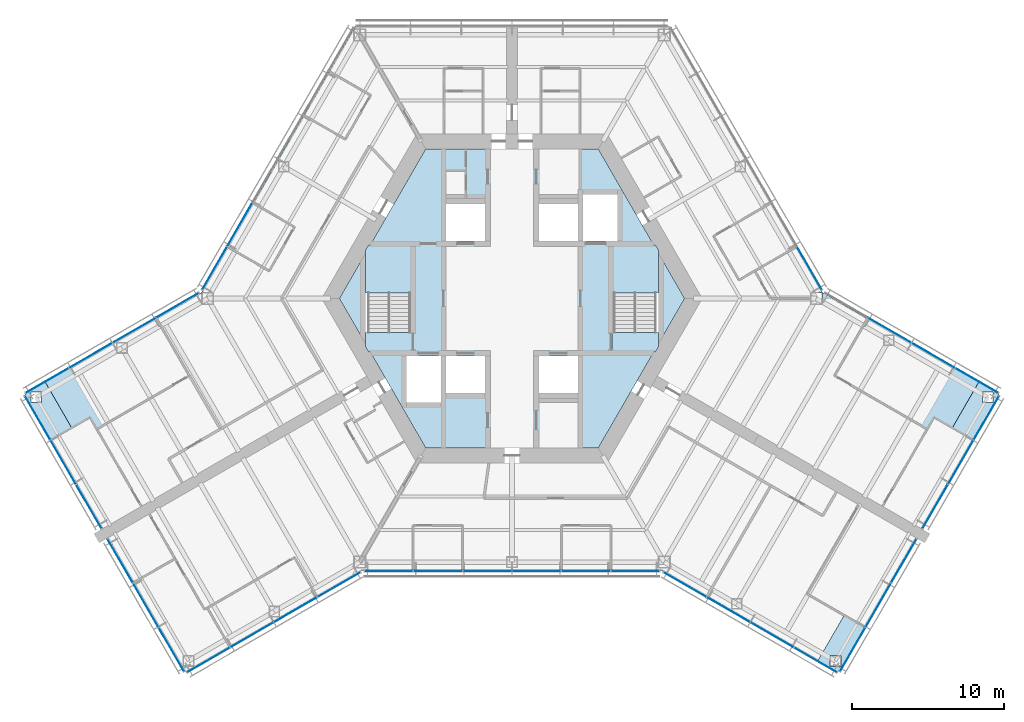
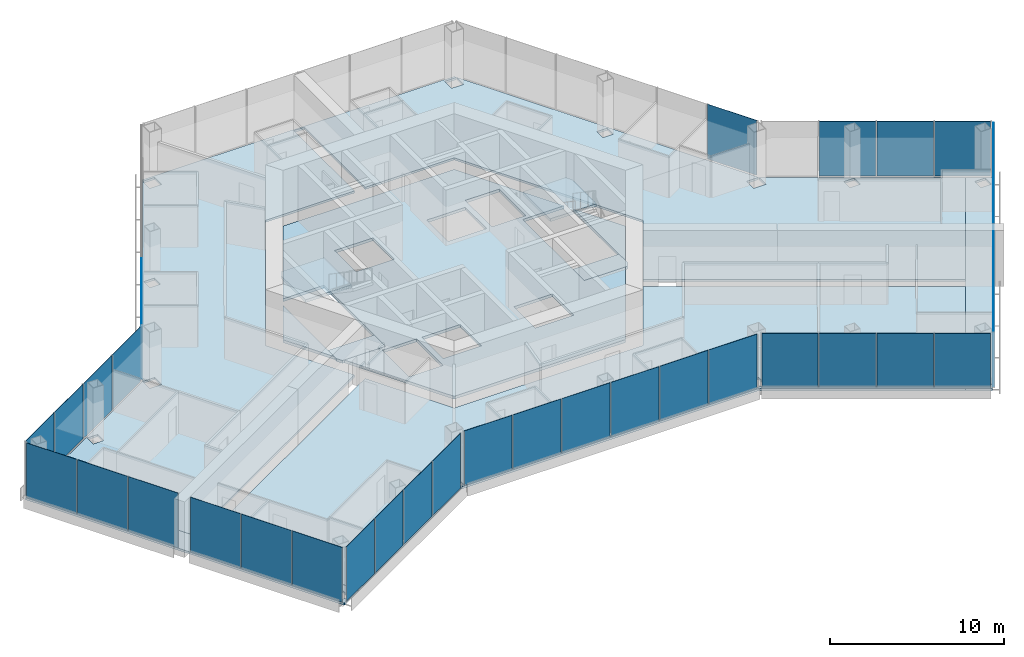
# One storey, part 10 of 18: 36 plates, 11 slabs, 13 elements without a shape of their own.
"""IFC4 building model written with IfcOpenShell, lengths in metres."""

import ifcopenshell
import ifcopenshell.guid

model = None  # the IFC model being written
_history = None  # IfcOwnerHistory: only IFC2X3 demands one
_inside = {}  # id of a spatial element -> (the spatial element, [elements in it])
_under = {}  # id of a project, library or spatial element -> (it, [spatial elements below it])
_declared = {}  # id of a project -> (the project, [libraries it declares])
_typed = {}  # id of a type object -> (the type object, [elements of that type])
_made_of = {}  # id of a material, layer set ... -> (it, [elements and type objects made of it])


def new_model(schema):
    """Start an empty IFC model of exactly this schema.

    Asked for "IFC4X3", IfcOpenShell would pick the latest addendum, in which some entities
    have other attributes; the version numbers below select the first issue.
    IFC2X3 requires an IfcOwnerHistory on every rooted entity: one is made here for all.
    """
    global model, _history
    if schema == "IFC4X3":
        model = ifcopenshell.file(schema_version=(4, 3, 0, 0))
    else:
        model = ifcopenshell.file(schema=schema)
    _inside.clear()
    _under.clear()
    _declared.clear()
    _typed.clear()
    _made_of.clear()
    _history = None
    if model.schema == "IFC2X3":
        org = make("IfcOrganization", Name="unknown")
        user = make(
            "IfcPersonAndOrganization",
            ThePerson=make("IfcPerson", FamilyName="unknown"),
            TheOrganization=org,
        )
        app = make(
            "IfcApplication",
            ApplicationDeveloper=org,
            Version="unknown",
            ApplicationFullName="unknown",
            ApplicationIdentifier="unknown",
        )
        _history = make(
            "IfcOwnerHistory",
            OwningUser=user,
            OwningApplication=app,
            ChangeAction="ADDED",
            CreationDate=0,
        )
    return model


def make(cls, **values):
    """One entity of the class cls with the attributes given. An attribute that is None is left unset."""
    return model.create_entity(
        cls, **{name: value for name, value in values.items() if value is not None}
    )


def rooted(cls, **values):
    """An entity with a GlobalId (a new one), such as an element, a storey or a relation."""
    return make(cls, GlobalId=ifcopenshell.guid.new(), OwnerHistory=_history, **values)


def si_unit(unit_type, name, prefix=None):
    """IfcSIUnit, for example si_unit("LENGTHUNIT", "METRE", prefix="MILLI")."""
    return make("IfcSIUnit", UnitType=unit_type, Prefix=prefix, Name=name)


def assignment(units):
    """IfcUnitAssignment: the units of a project."""
    return None if units is None else make("IfcUnitAssignment", Units=units)


def point(xyz):
    """IfcCartesianPoint."""
    return None if xyz is None else make("IfcCartesianPoint", Coordinates=xyz)


def direction(xyz):
    """IfcDirection."""
    return None if xyz is None else make("IfcDirection", DirectionRatios=xyz)


def frame(location, z_axis=None, x_axis=None):
    """IfcAxis2Placement3D, a coordinate frame: its origin and axes. An axis left out is left unset."""
    return make(
        "IfcAxis2Placement3D",
        Location=point(location),
        Axis=direction(z_axis),
        RefDirection=direction(x_axis),
    )


def frame_2d(location, x_axis=None):
    """IfcAxis2Placement2D, a coordinate frame in the plane: its origin and x axis."""
    return make(
        "IfcAxis2Placement2D", Location=point(location), RefDirection=direction(x_axis)
    )


def origin():
    """The frame at (0, 0, 0) with its axes left unset."""
    return frame((0.0, 0.0, 0.0))


def origin_2d():
    """The frame at (0, 0) in the plane with its x axis left unset."""
    return frame_2d((0.0, 0.0))


def place(relative_to, where):
    """IfcLocalPlacement: puts the frame where relative to a parent placement (None: the world)."""
    return make(
        "IfcLocalPlacement", PlacementRelTo=relative_to, RelativePlacement=where
    )


def context(
    kind, dimensions, precision=None, world=None, true_north=None, identifier=None
):
    """IfcGeometricRepresentationContext, for example the 3D "Model" context."""
    return make(
        "IfcGeometricRepresentationContext",
        ContextIdentifier=identifier,
        ContextType=kind,
        CoordinateSpaceDimension=dimensions,
        Precision=precision,
        WorldCoordinateSystem=world,
        TrueNorth=true_north,
    )


def subcontext(parent, identifier, kind, view, scale=None):
    """IfcGeometricRepresentationSubContext, for example "Body" below "Model"."""
    return make(
        "IfcGeometricRepresentationSubContext",
        ContextIdentifier=identifier,
        ContextType=kind,
        ParentContext=parent,
        TargetScale=scale,
        TargetView=view,
    )


def project(units=None, contexts=None):
    """IfcProject with its units and contexts."""
    return rooted(
        "IfcProject",
        Name="project",
        RepresentationContexts=contexts,
        UnitsInContext=assignment(units),
    )


def spatial(cls, under=None, at=None, **own):
    """A site, building, storey or space (cls), placed at a placement, below another one or the project."""
    s = rooted(cls, ObjectPlacement=at, **own)
    if under is not None:
        _under.setdefault(under.id(), (under, []))[1].append(s)
    return s


def polyline(points):
    """IfcPolyline through the points."""
    return make("IfcPolyline", Points=[point(p) for p in points])


def profile(cls, at=None, kind="AREA", **sizes):
    """A parametric profile (cls). Its sizes go by their IFC names, for example OverallWidth=200.0."""
    return make(cls, ProfileType=kind, Position=at, **sizes)


def rectangle(**sizes):
    """IfcRectangleProfileDef."""
    return profile("IfcRectangleProfileDef", **sizes)


def outline(outer, holes=None, kind="AREA"):
    """IfcArbitraryClosedProfileDef: a profile drawn as a closed curve; with holes, ...WithVoids."""
    if holes is None:
        return make("IfcArbitraryClosedProfileDef", ProfileType=kind, OuterCurve=outer)
    return make(
        "IfcArbitraryProfileDefWithVoids",
        ProfileType=kind,
        OuterCurve=outer,
        InnerCurves=holes,
    )


def extrude(swept, where, along, depth):
    """IfcExtrudedAreaSolid: the profile swept, set in the frame where, extruded along a direction by depth."""
    return make(
        "IfcExtrudedAreaSolid",
        SweptArea=swept,
        Position=where,
        ExtrudedDirection=direction(along),
        Depth=depth,
    )


def shape(context_of_items, identifier, shape_type, items):
    """IfcShapeRepresentation: the items that make up one representation, for example the "Body"."""
    return make(
        "IfcShapeRepresentation",
        ContextOfItems=context_of_items,
        RepresentationIdentifier=identifier,
        RepresentationType=shape_type,
        Items=items,
    )


def material(Name=None, Category=None):
    """IfcMaterial."""
    return make("IfcMaterial", Name=Name, Category=Category)


def layer(
    of_material, thickness, ventilated=None, Name=None, Category=None, Priority=None
):
    """IfcMaterialLayer: one layer of a wall or slab, of a material (None: an air gap)."""
    return make(
        "IfcMaterialLayer",
        Material=of_material,
        LayerThickness=thickness,
        IsVentilated=ventilated,
        Name=Name,
        Category=Category,
        Priority=Priority,
    )


def layer_set(layers, Name=None):
    """IfcMaterialLayerSet."""
    return make("IfcMaterialLayerSet", MaterialLayers=layers, LayerSetName=Name)


def made_of(thing, what):
    """Note that an element or type object is made of a material, layer set ...; save() writes the relation."""
    if what is not None:
        _made_of.setdefault(what.id(), (what, []))[1].append(thing)
    return thing


def type_object(cls, material=None, **own):
    """A type object (cls), such as IfcWallType, which elements share."""
    return made_of(rooted(cls, **own), material)


def element(
    cls,
    number,
    at=None,
    inside=None,
    cuts=None,
    type_object=None,
    material=None,
    context=None,
    identifier="Body",
    shape_type=None,
    held_by="IfcProductDefinitionShape",
    body=None,
    shapes=None,
    **own,
):
    """One element of the class cls, such as IfcWall. Its Tag is "e" and its number.

    at: its placement. inside: the storey or other place that contains it. cuts: it is an
    opening in that element (IfcRelVoidsElement). A single representation is given by context,
    identifier, shape_type and body (its items); several are given by shapes. held_by: the class
    of the entity that holds the representations. save() writes the other relations.
    """
    e = rooted(cls, Tag="e%d" % number, ObjectPlacement=at, **own)
    if body is not None:
        shapes = [shape(context, identifier, shape_type, body)]
    if shapes is not None:
        e.Representation = make(held_by, Representations=shapes)
    if inside is not None:
        _inside.setdefault(inside.id(), (inside, []))[1].append(e)
    if cuts is not None:
        rooted(
            "IfcRelVoidsElement", RelatingBuildingElement=cuts, RelatedOpeningElement=e
        )
    if type_object is not None:
        _typed.setdefault(type_object.id(), (type_object, []))[1].append(e)
    return made_of(e, material)


def aggregate(whole, parts):
    """IfcRelAggregates: a whole, such as a stair, and the parts it consists of."""
    return rooted("IfcRelAggregates", RelatingObject=whole, RelatedObjects=parts)


def save(model, path):
    """Write the relations noted so far, then the file.

    IfcRelAggregates (storeys below a building ...), IfcRelContainedInSpatialStructure (elements
    in a storey), IfcRelDefinesByType, IfcRelAssociatesMaterial and IfcRelDeclares: one each for
    every whole, place, type object, material and project.
    """
    for whole, parts in _under.values():
        aggregate(whole, parts)
    for where, things in _inside.values():
        rooted(
            "IfcRelContainedInSpatialStructure",
            RelatedElements=things,
            RelatingStructure=where,
        )
    for kind, things in _typed.values():
        rooted("IfcRelDefinesByType", RelatedObjects=things, RelatingType=kind)
    for what, things in _made_of.values():
        rooted("IfcRelAssociatesMaterial", RelatedObjects=things, RelatingMaterial=what)
    for by, libraries in _declared.values():
        rooted("IfcRelDeclares", RelatingContext=by, RelatedDefinitions=libraries)
    model.write(path)


model = new_model("IFC4")

# Units and contexts
model_context = context("Model", 3, precision=1e-05, world=origin(), true_north=direction((0.0, 1.0)))
body_context = subcontext(model_context, "Body", "Model", "MODEL_VIEW")
ifc_project = project(units=[si_unit("LENGTHUNIT", "METRE"), si_unit("AREAUNIT", "SQUARE_METRE"), si_unit("VOLUMEUNIT", "CUBIC_METRE"), si_unit("PLANEANGLEUNIT", "RADIAN"), si_unit("MASSUNIT", "GRAM", prefix="KILO")], contexts=[model_context])

# Site, building, storey
site_placement = place(None, origin())
site = spatial("IfcSite", under=ifc_project, at=site_placement, CompositionType="ELEMENT")
building_placement = place(site_placement, origin())
building = spatial("IfcBuilding", under=site, at=building_placement, Name="Kasaneha Research Tower", CompositionType="ELEMENT")
storey_placement = place(building_placement, frame((0.0, 0.0, 187.699951171875)))
storey = spatial("IfcBuildingStorey", under=building, at=storey_placement, Name="L47", CompositionType="ELEMENT", Elevation=187.699951171875)

# Curtain wall, plates
ifc_material_1 = material(Name="Glass and aluminium", Category="aluminium")
curtain_wall_type = type_object("IfcCurtainWallType", Name="Mid-rise office curtain wall", PredefinedType="USERDEFINED", material=ifc_material_1)
curtain_wall_1_placement = place(storey_placement, origin())
curtain_wall_1 = element("IfcCurtainWall", 1, at=curtain_wall_1_placement, inside=storey, type_object=curtain_wall_type, Name="CW-O2 L47 run 01a", ObjectType="UNITISED CURTAIN WALL", PredefinedType="USERDEFINED")
ifc_material_2 = material(Name="Laminated double glazing", Category="glass")
ifc_layer_1 = layer(ifc_material_2, 0.02587890625)
ifc_layer_set_1 = layer_set([ifc_layer_1], Name="CW-O2 glazed panel")
plate_type = type_object("IfcPlateType", Name="CW-O2 glazed panel", PredefinedType="CURTAIN_PANEL", material=ifc_layer_set_1)
plate_1_placement = place(storey_placement, frame((-8.10107421875, -17.92041015625, 0.06005859375), z_axis=(0.0, 0.0, 1.0), x_axis=(1.0, 0.0, 0.0)))
plate_1 = element("IfcPlate", 2, at=plate_1_placement, type_object=plate_type, Name="CW-O2 panel 1", PredefinedType="CURTAIN_PANEL", context=body_context, shape_type="SweptSolid", body=[
    extrude(rectangle(XDim=3.156494140625, YDim=0.02587890625, at=origin_2d()), origin(), (0.0, 0.0, 1.0), 3.840087890625),
])
plate_2_placement = place(storey_placement, frame((-4.86962890625, -17.92041015625, 0.06005859375), z_axis=(0.0, 0.0, 1.0), x_axis=(1.0, 0.0, 0.0)))
plate_2 = element("IfcPlate", 3, at=plate_2_placement, type_object=plate_type, Name="CW-O2 panel 2", PredefinedType="CURTAIN_PANEL", context=body_context, shape_type="SweptSolid", body=[
    extrude(rectangle(XDim=3.1865234375, YDim=0.02587890625, at=origin_2d()), origin(), (0.0, 0.0, 1.0), 3.840087890625),
])
plate_3_placement = place(storey_placement, frame((-1.623291015625, -17.92041015625, 0.06005859375), z_axis=(0.0, 0.0, 1.0), x_axis=(1.0, 0.0, 0.0)))
plate_3 = element("IfcPlate", 4, at=plate_3_placement, type_object=plate_type, Name="CW-O2 panel 3", PredefinedType="CURTAIN_PANEL", context=body_context, shape_type="SweptSolid", body=[
    extrude(rectangle(XDim=3.1865234375, YDim=0.02587890625, at=origin_2d()), origin(), (0.0, 0.0, 1.0), 3.840087890625),
])
plate_4_placement = place(storey_placement, frame((1.623291015625, -17.92041015625, 0.06005859375), z_axis=(0.0, 0.0, 1.0), x_axis=(1.0, 0.0, 0.0)))
plate_4 = element("IfcPlate", 5, at=plate_4_placement, type_object=plate_type, Name="CW-O2 panel 4", PredefinedType="CURTAIN_PANEL", context=body_context, shape_type="SweptSolid", body=[
    extrude(rectangle(XDim=3.1865234375, YDim=0.02587890625, at=origin_2d()), origin(), (0.0, 0.0, 1.0), 3.840087890625),
])
plate_5_placement = place(storey_placement, frame((4.86962890625, -17.92041015625, 0.06005859375), z_axis=(0.0, 0.0, 1.0), x_axis=(1.0, 0.0, 0.0)))
plate_5 = element("IfcPlate", 6, at=plate_5_placement, type_object=plate_type, Name="CW-O2 panel 5", PredefinedType="CURTAIN_PANEL", context=body_context, shape_type="SweptSolid", body=[
    extrude(rectangle(XDim=3.1865234375, YDim=0.02587890625, at=origin_2d()), origin(), (0.0, 0.0, 1.0), 3.840087890625),
])
plate_6_placement = place(storey_placement, frame((8.10107421875, -17.92041015625, 0.06005859375), z_axis=(0.0, 0.0, 1.0), x_axis=(1.0, 0.0, 0.0)))
plate_6 = element("IfcPlate", 7, at=plate_6_placement, type_object=plate_type, Name="CW-O2 panel 6", PredefinedType="CURTAIN_PANEL", context=body_context, shape_type="SweptSolid", body=[
    extrude(rectangle(XDim=3.156494140625, YDim=0.02587890625, at=origin_2d()), origin(), (0.0, 0.0, 1.0), 3.840087890625),
])
aggregate(curtain_wall_1, [plate_1, plate_2, plate_3, plate_4, plate_5, plate_6])

curtain_wall_2_placement = place(storey_placement, origin())
curtain_wall_2 = element("IfcCurtainWall", 8, at=curtain_wall_2_placement, inside=storey, type_object=curtain_wall_type, Name="CW-O2 L47 run 02a", ObjectType="UNITISED CURTAIN WALL", PredefinedType="USERDEFINED")
plate_7_placement = place(storey_placement, frame((11.3720703125, -18.805419921875, 0.06005859375), z_axis=(0.0, 0.0, 1.0), x_axis=(0.866025411464, -0.499999986699, 0.0)))
plate_7 = element("IfcPlate", 9, at=plate_7_placement, type_object=plate_type, Name="CW-O2 panel 1", PredefinedType="CURTAIN_PANEL", context=body_context, shape_type="SweptSolid", body=[
    extrude(rectangle(XDim=3.2197265625, YDim=0.02587890625, at=origin_2d()), origin(), (0.0, 0.0, 1.0), 3.840087890625),
])
plate_8_placement = place(storey_placement, frame((14.225341796875, -20.452880859375, 0.06005859375), z_axis=(0.0, 0.0, 1.0), x_axis=(0.866025411464, -0.499999986699, 0.0)))
plate_8 = element("IfcPlate", 10, at=plate_8_placement, type_object=plate_type, Name="CW-O2 panel 2", PredefinedType="CURTAIN_PANEL", context=body_context, shape_type="SweptSolid", body=[
    extrude(rectangle(XDim=3.249755859375, YDim=0.02587890625, at=origin_2d()), origin(), (0.0, 0.0, 1.0), 3.840087890625),
])
plate_9_placement = place(storey_placement, frame((17.091796875, -22.107666015625, 0.06005859375), z_axis=(0.0, 0.0, 1.0), x_axis=(0.866025411464, -0.499999986699, 0.0)))
plate_9 = element("IfcPlate", 11, at=plate_9_placement, type_object=plate_type, Name="CW-O2 panel 3", PredefinedType="CURTAIN_PANEL", context=body_context, shape_type="SweptSolid", body=[
    extrude(rectangle(XDim=3.249755859375, YDim=0.02587890625, at=origin_2d()), origin(), (0.0, 0.0, 1.0), 3.840087890625),
])
plate_10_placement = place(storey_placement, frame((19.945068359375, -23.755126953125, 0.06005859375), z_axis=(0.0, 0.0, 1.0), x_axis=(0.866025411464, -0.499999986699, 0.0)))
plate_10 = element("IfcPlate", 12, at=plate_10_placement, type_object=plate_type, Name="CW-O2 panel 4", PredefinedType="CURTAIN_PANEL", context=body_context, shape_type="SweptSolid", body=[
    extrude(rectangle(XDim=3.2197265625, YDim=0.02587890625, at=origin_2d()), origin(), (0.0, 0.0, 1.0), 3.840087890625),
])
aggregate(curtain_wall_2, [plate_7, plate_8, plate_9, plate_10])

curtain_wall_3_placement = place(storey_placement, origin())
curtain_wall_3 = element("IfcCurtainWall", 13, at=curtain_wall_3_placement, inside=storey, type_object=curtain_wall_type, Name="CW-O2 L47 run 03a", ObjectType="UNITISED CURTAIN WALL", PredefinedType="USERDEFINED")
plate_11_placement = place(storey_placement, frame((22.38134765625, -23.075439453125, 0.06005859375), z_axis=(0.0, 0.0, 1.0), x_axis=(0.500000011442, 0.866025397178, 0.0)))
plate_11 = element("IfcPlate", 14, at=plate_11_placement, type_object=plate_type, Name="CW-O2 panel 1", PredefinedType="CURTAIN_PANEL", context=body_context, shape_type="SweptSolid", body=[
    extrude(rectangle(XDim=3.293212890625, YDim=0.02587890625, at=origin_2d()), origin(), (0.0, 0.0, 1.0), 3.840087890625),
])
plate_12_placement = place(storey_placement, frame((24.0654296875, -20.158447265625, 0.06005859375), z_axis=(0.0, 0.0, 1.0), x_axis=(0.500000011442, 0.866025397178, 0.0)))
plate_12 = element("IfcPlate", 15, at=plate_12_placement, type_object=plate_type, Name="CW-O2 panel 2", PredefinedType="CURTAIN_PANEL", context=body_context, shape_type="SweptSolid", body=[
    extrude(rectangle(XDim=3.3232421875, YDim=0.02587890625, at=origin_2d()), origin(), (0.0, 0.0, 1.0), 3.840087890625),
])
plate_13_placement = place(storey_placement, frame((25.74951171875, -17.241455078125, 0.06005859375), z_axis=(0.0, 0.0, 1.0), x_axis=(0.500000011442, 0.866025397178, 0.0)))
plate_13 = element("IfcPlate", 16, at=plate_13_placement, type_object=plate_type, Name="CW-O2 panel 3", PredefinedType="CURTAIN_PANEL", context=body_context, shape_type="SweptSolid", body=[
    extrude(rectangle(XDim=3.293212890625, YDim=0.02587890625, at=origin_2d()), origin(), (0.0, 0.0, 1.0), 3.840087890625),
])
aggregate(curtain_wall_3, [plate_11, plate_12, plate_13])

curtain_wall_4_placement = place(storey_placement, origin())
curtain_wall_4 = element("IfcCurtainWall", 17, at=curtain_wall_4_placement, inside=storey, type_object=curtain_wall_type, Name="CW-O2 L47 run 04a", ObjectType="UNITISED CURTAIN WALL", PredefinedType="USERDEFINED")
plate_14_placement = place(storey_placement, frame((27.806396484375, -13.67919921875, 0.06005859375), z_axis=(0.0, 0.0, 1.0), x_axis=(0.500000011442, 0.866025397178, 0.0)))
plate_14 = element("IfcPlate", 18, at=plate_14_placement, type_object=plate_type, Name="CW-O2 panel 1", PredefinedType="CURTAIN_PANEL", context=body_context, shape_type="SweptSolid", body=[
    extrude(rectangle(XDim=3.293212890625, YDim=0.02587890625, at=origin_2d()), origin(), (0.0, 0.0, 1.0), 3.840087890625),
])
plate_15_placement = place(storey_placement, frame((29.490478515625, -10.761962890625, 0.06005859375), z_axis=(0.0, 0.0, 1.0), x_axis=(0.500000011442, 0.866025397178, 0.0)))
plate_15 = element("IfcPlate", 19, at=plate_15_placement, type_object=plate_type, Name="CW-O2 panel 2", PredefinedType="CURTAIN_PANEL", context=body_context, shape_type="SweptSolid", body=[
    extrude(rectangle(XDim=3.3232421875, YDim=0.02587890625, at=origin_2d()), origin(), (0.0, 0.0, 1.0), 3.840087890625),
])
plate_16_placement = place(storey_placement, frame((31.174560546875, -7.844970703125, 0.06005859375), z_axis=(0.0, 0.0, 1.0), x_axis=(0.500000011442, 0.866025397178, 0.0)))
plate_16 = element("IfcPlate", 20, at=plate_16_placement, type_object=plate_type, Name="CW-O2 panel 3", PredefinedType="CURTAIN_PANEL", context=body_context, shape_type="SweptSolid", body=[
    extrude(rectangle(XDim=3.293212890625, YDim=0.02587890625, at=origin_2d()), origin(), (0.0, 0.0, 1.0), 3.840087890625),
])
aggregate(curtain_wall_4, [plate_14, plate_15, plate_16])

curtain_wall_5_placement = place(storey_placement, origin())
curtain_wall_5 = element("IfcCurtainWall", 21, at=curtain_wall_5_placement, inside=storey, type_object=curtain_wall_type, Name="CW-O2 L47 run 05a", ObjectType="UNITISED CURTAIN WALL", PredefinedType="USERDEFINED")
plate_17_placement = place(storey_placement, frame((30.545166015625, -5.3955078125, 0.06005859375), z_axis=(0.0, 0.0, 1.0), x_axis=(-0.866025411464, 0.499999986699, 0.0)))
plate_17 = element("IfcPlate", 22, at=plate_17_placement, type_object=plate_type, Name="CW-O2 panel 1", PredefinedType="CURTAIN_PANEL", context=body_context, shape_type="SweptSolid", body=[
    extrude(rectangle(XDim=3.2197265625, YDim=0.02587890625, at=origin_2d()), origin(), (0.0, 0.0, 1.0), 3.840087890625),
])
plate_18_placement = place(storey_placement, frame((27.69189453125, -3.748046875, 0.06005859375), z_axis=(0.0, 0.0, 1.0), x_axis=(-0.866025411464, 0.499999986699, 0.0)))
plate_18 = element("IfcPlate", 23, at=plate_18_placement, type_object=plate_type, Name="CW-O2 panel 2", PredefinedType="CURTAIN_PANEL", context=body_context, shape_type="SweptSolid", body=[
    extrude(rectangle(XDim=3.249755859375, YDim=0.02587890625, at=origin_2d()), origin(), (0.0, 0.0, 1.0), 3.840087890625),
])
plate_19_placement = place(storey_placement, frame((24.825439453125, -2.093017578125, 0.06005859375), z_axis=(0.0, 0.0, 1.0), x_axis=(-0.866025411464, 0.499999986699, 0.0)))
plate_19 = element("IfcPlate", 24, at=plate_19_placement, type_object=plate_type, Name="CW-O2 panel 3", PredefinedType="CURTAIN_PANEL", context=body_context, shape_type="SweptSolid", body=[
    extrude(rectangle(XDim=3.249755859375, YDim=0.02587890625, at=origin_2d()), origin(), (0.0, 0.0, 1.0), 3.840087890625),
])
aggregate(curtain_wall_5, [plate_17, plate_18, plate_19])

# Curtain wall, plate
curtain_wall_6_placement = place(storey_placement, origin())
curtain_wall_6 = element("IfcCurtainWall", 25, at=curtain_wall_6_placement, inside=storey, type_object=curtain_wall_type, Name="CW-O2 L47 run 06a", ObjectType="UNITISED CURTAIN WALL", PredefinedType="USERDEFINED")
plate_20_placement = place(storey_placement, frame((19.549072265625, 1.981201171875, 0.06005859375), z_axis=(0.0, 0.0, 1.0), x_axis=(-0.499999979232, 0.866025415775, 0.0)))
plate_20 = element("IfcPlate", 26, at=plate_20_placement, type_object=plate_type, Name="CW-O2 panel 1", PredefinedType="CURTAIN_PANEL", context=body_context, shape_type="SweptSolid", body=[
    extrude(rectangle(XDim=3.240966796875, YDim=0.02587890625, at=origin_2d()), origin(), (0.0, 0.0, 1.0), 3.840087890625),
])
aggregate(curtain_wall_6, [plate_20])

# Curtain wall, plates
curtain_wall_7_placement = place(storey_placement, origin())
curtain_wall_7 = element("IfcCurtainWall", 27, at=curtain_wall_7_placement, inside=storey, type_object=curtain_wall_type, Name="CW-O2 L47 run 08a", ObjectType="UNITISED CURTAIN WALL", PredefinedType="USERDEFINED")
plate_21_placement = place(storey_placement, frame((-17.89111328125, 4.852783203125, 0.06005859375), z_axis=(0.0, 0.0, 1.0), x_axis=(-0.499999979232, -0.866025415775, 0.0)))
plate_21 = element("IfcPlate", 28, at=plate_21_placement, type_object=plate_type, Name="CW-O2 panel 5", PredefinedType="CURTAIN_PANEL", context=body_context, shape_type="SweptSolid", body=[
    extrude(rectangle(XDim=3.27099609375, YDim=0.02587890625, at=origin_2d()), origin(), (0.0, 0.0, 1.0), 3.840087890625),
])
plate_22_placement = place(storey_placement, frame((-19.549072265625, 1.981201171875, 0.06005859375), z_axis=(0.0, 0.0, 1.0), x_axis=(-0.499999979232, -0.866025415775, 0.0)))
plate_22 = element("IfcPlate", 29, at=plate_22_placement, type_object=plate_type, Name="CW-O2 panel 6", PredefinedType="CURTAIN_PANEL", context=body_context, shape_type="SweptSolid", body=[
    extrude(rectangle(XDim=3.240966796875, YDim=0.02587890625, at=origin_2d()), origin(), (0.0, 0.0, 1.0), 3.840087890625),
])
aggregate(curtain_wall_7, [plate_21, plate_22])

curtain_wall_8_placement = place(storey_placement, origin())
curtain_wall_8 = element("IfcCurtainWall", 30, at=curtain_wall_8_placement, inside=storey, type_object=curtain_wall_type, Name="CW-O2 L47 run 09a", ObjectType="UNITISED CURTAIN WALL", PredefinedType="USERDEFINED")
plate_23_placement = place(storey_placement, frame((-21.971923828125, -0.44580078125, 0.06005859375), z_axis=(0.0, 0.0, 1.0), x_axis=(-0.866025411464, -0.499999986699, 0.0)))
plate_23 = element("IfcPlate", 31, at=plate_23_placement, type_object=plate_type, Name="CW-O2 panel 1", PredefinedType="CURTAIN_PANEL", context=body_context, shape_type="SweptSolid", body=[
    extrude(rectangle(XDim=3.2197265625, YDim=0.02587890625, at=origin_2d()), origin(), (0.0, 0.0, 1.0), 3.840087890625),
])
plate_24_placement = place(storey_placement, frame((-24.825439453125, -2.093017578125, 0.06005859375), z_axis=(0.0, 0.0, 1.0), x_axis=(-0.866025411464, -0.499999986699, 0.0)))
plate_24 = element("IfcPlate", 32, at=plate_24_placement, type_object=plate_type, Name="CW-O2 panel 2", PredefinedType="CURTAIN_PANEL", context=body_context, shape_type="SweptSolid", body=[
    extrude(rectangle(XDim=3.249755859375, YDim=0.02587890625, at=origin_2d()), origin(), (0.0, 0.0, 1.0), 3.840087890625),
])
plate_25_placement = place(storey_placement, frame((-27.69189453125, -3.748046875, 0.06005859375), z_axis=(0.0, 0.0, 1.0), x_axis=(-0.866025411464, -0.499999986699, 0.0)))
plate_25 = element("IfcPlate", 33, at=plate_25_placement, type_object=plate_type, Name="CW-O2 panel 3", PredefinedType="CURTAIN_PANEL", context=body_context, shape_type="SweptSolid", body=[
    extrude(rectangle(XDim=3.249755859375, YDim=0.02587890625, at=origin_2d()), origin(), (0.0, 0.0, 1.0), 3.840087890625),
])
plate_26_placement = place(storey_placement, frame((-30.545166015625, -5.3955078125, 0.06005859375), z_axis=(0.0, 0.0, 1.0), x_axis=(-0.866025411464, -0.499999986699, 0.0)))
plate_26 = element("IfcPlate", 34, at=plate_26_placement, type_object=plate_type, Name="CW-O2 panel 4", PredefinedType="CURTAIN_PANEL", context=body_context, shape_type="SweptSolid", body=[
    extrude(rectangle(XDim=3.2197265625, YDim=0.02587890625, at=origin_2d()), origin(), (0.0, 0.0, 1.0), 3.840087890625),
])
aggregate(curtain_wall_8, [plate_23, plate_24, plate_25, plate_26])

curtain_wall_9_placement = place(storey_placement, origin())
curtain_wall_9 = element("IfcCurtainWall", 35, at=curtain_wall_9_placement, inside=storey, type_object=curtain_wall_type, Name="CW-O2 L47 run 10a", ObjectType="UNITISED CURTAIN WALL", PredefinedType="USERDEFINED")
plate_27_placement = place(storey_placement, frame((-31.174560546875, -7.844970703125, 0.06005859375), z_axis=(0.0, 0.0, 1.0), x_axis=(0.500000011442, -0.866025397178, 0.0)))
plate_27 = element("IfcPlate", 36, at=plate_27_placement, type_object=plate_type, Name="CW-O2 panel 1", PredefinedType="CURTAIN_PANEL", context=body_context, shape_type="SweptSolid", body=[
    extrude(rectangle(XDim=3.293212890625, YDim=0.02587890625, at=origin_2d()), origin(), (0.0, 0.0, 1.0), 3.840087890625),
])
plate_28_placement = place(storey_placement, frame((-29.490478515625, -10.761962890625, 0.06005859375), z_axis=(0.0, 0.0, 1.0), x_axis=(0.500000011442, -0.866025397178, 0.0)))
plate_28 = element("IfcPlate", 37, at=plate_28_placement, type_object=plate_type, Name="CW-O2 panel 2", PredefinedType="CURTAIN_PANEL", context=body_context, shape_type="SweptSolid", body=[
    extrude(rectangle(XDim=3.3232421875, YDim=0.02587890625, at=origin_2d()), origin(), (0.0, 0.0, 1.0), 3.840087890625),
])
plate_29_placement = place(storey_placement, frame((-27.806396484375, -13.67919921875, 0.06005859375), z_axis=(0.0, 0.0, 1.0), x_axis=(0.500000011442, -0.866025397178, 0.0)))
plate_29 = element("IfcPlate", 38, at=plate_29_placement, type_object=plate_type, Name="CW-O2 panel 3", PredefinedType="CURTAIN_PANEL", context=body_context, shape_type="SweptSolid", body=[
    extrude(rectangle(XDim=3.293212890625, YDim=0.02587890625, at=origin_2d()), origin(), (0.0, 0.0, 1.0), 3.840087890625),
])
aggregate(curtain_wall_9, [plate_27, plate_28, plate_29])

curtain_wall_10_placement = place(storey_placement, origin())
curtain_wall_10 = element("IfcCurtainWall", 39, at=curtain_wall_10_placement, inside=storey, type_object=curtain_wall_type, Name="CW-O2 L47 run 11a", ObjectType="UNITISED CURTAIN WALL", PredefinedType="USERDEFINED")
plate_30_placement = place(storey_placement, frame((-25.74951171875, -17.241455078125, 0.06005859375), z_axis=(0.0, 0.0, 1.0), x_axis=(0.500000011442, -0.866025397178, 0.0)))
plate_30 = element("IfcPlate", 40, at=plate_30_placement, type_object=plate_type, Name="CW-O2 panel 1", PredefinedType="CURTAIN_PANEL", context=body_context, shape_type="SweptSolid", body=[
    extrude(rectangle(XDim=3.293212890625, YDim=0.02587890625, at=origin_2d()), origin(), (0.0, 0.0, 1.0), 3.840087890625),
])
plate_31_placement = place(storey_placement, frame((-24.0654296875, -20.158447265625, 0.06005859375), z_axis=(0.0, 0.0, 1.0), x_axis=(0.500000011442, -0.866025397178, 0.0)))
plate_31 = element("IfcPlate", 41, at=plate_31_placement, type_object=plate_type, Name="CW-O2 panel 2", PredefinedType="CURTAIN_PANEL", context=body_context, shape_type="SweptSolid", body=[
    extrude(rectangle(XDim=3.3232421875, YDim=0.02587890625, at=origin_2d()), origin(), (0.0, 0.0, 1.0), 3.840087890625),
])
plate_32_placement = place(storey_placement, frame((-22.38134765625, -23.075439453125, 0.06005859375), z_axis=(0.0, 0.0, 1.0), x_axis=(0.500000011442, -0.866025397178, 0.0)))
plate_32 = element("IfcPlate", 42, at=plate_32_placement, type_object=plate_type, Name="CW-O2 panel 3", PredefinedType="CURTAIN_PANEL", context=body_context, shape_type="SweptSolid", body=[
    extrude(rectangle(XDim=3.293212890625, YDim=0.02587890625, at=origin_2d()), origin(), (0.0, 0.0, 1.0), 3.840087890625),
])
aggregate(curtain_wall_10, [plate_30, plate_31, plate_32])

curtain_wall_11_placement = place(storey_placement, origin())
curtain_wall_11 = element("IfcCurtainWall", 43, at=curtain_wall_11_placement, inside=storey, type_object=curtain_wall_type, Name="CW-O2 L47 run 12a", ObjectType="UNITISED CURTAIN WALL", PredefinedType="USERDEFINED")
plate_33_placement = place(storey_placement, frame((-19.945068359375, -23.755126953125, 0.06005859375), z_axis=(0.0, 0.0, 1.0), x_axis=(0.866025411464, 0.499999986699, 0.0)))
plate_33 = element("IfcPlate", 44, at=plate_33_placement, type_object=plate_type, Name="CW-O2 panel 1", PredefinedType="CURTAIN_PANEL", context=body_context, shape_type="SweptSolid", body=[
    extrude(rectangle(XDim=3.2197265625, YDim=0.02587890625, at=origin_2d()), origin(), (0.0, 0.0, 1.0), 3.840087890625),
])
plate_34_placement = place(storey_placement, frame((-17.091796875, -22.107666015625, 0.06005859375), z_axis=(0.0, 0.0, 1.0), x_axis=(0.866025411464, 0.499999986699, 0.0)))
plate_34 = element("IfcPlate", 45, at=plate_34_placement, type_object=plate_type, Name="CW-O2 panel 2", PredefinedType="CURTAIN_PANEL", context=body_context, shape_type="SweptSolid", body=[
    extrude(rectangle(XDim=3.249755859375, YDim=0.02587890625, at=origin_2d()), origin(), (0.0, 0.0, 1.0), 3.840087890625),
])
plate_35_placement = place(storey_placement, frame((-14.225341796875, -20.452880859375, 0.06005859375), z_axis=(0.0, 0.0, 1.0), x_axis=(0.866025411464, 0.499999986699, 0.0)))
plate_35 = element("IfcPlate", 46, at=plate_35_placement, type_object=plate_type, Name="CW-O2 panel 3", PredefinedType="CURTAIN_PANEL", context=body_context, shape_type="SweptSolid", body=[
    extrude(rectangle(XDim=3.249755859375, YDim=0.02587890625, at=origin_2d()), origin(), (0.0, 0.0, 1.0), 3.840087890625),
])
plate_36_placement = place(storey_placement, frame((-11.3720703125, -18.805419921875, 0.06005859375), z_axis=(0.0, 0.0, 1.0), x_axis=(0.866025411464, 0.499999986699, 0.0)))
plate_36 = element("IfcPlate", 47, at=plate_36_placement, type_object=plate_type, Name="CW-O2 panel 4", PredefinedType="CURTAIN_PANEL", context=body_context, shape_type="SweptSolid", body=[
    extrude(rectangle(XDim=3.2197265625, YDim=0.02587890625, at=origin_2d()), origin(), (0.0, 0.0, 1.0), 3.840087890625),
])
aggregate(curtain_wall_11, [plate_33, plate_34, plate_35, plate_36])

# Slabs
ifc_material_3 = material(Name="Concrete Fc24", Category="concrete")
ifc_layer_2 = layer(ifc_material_3, 0.199951171875)
ifc_layer_set_2 = layer_set([ifc_layer_2], Name="Core floor slab 200")
slab_type_1 = type_object("IfcSlabType", Name="Core floor slab 200", PredefinedType="FLOOR", material=ifc_layer_set_2)
slab_1_placement = place(storey_placement, frame((0.0, 0.0, -0.199951171875)))
element("IfcSlab", 48, at=slab_1_placement, inside=storey, type_object=slab_type_1, Name="Core slab L47", PredefinedType="FLOOR", context=body_context, shape_type="SweptSolid", body=[
    extrude(outline(polyline([(-11.344970703125, 0.0), (-9.625, 2.97900390625), (-9.625, -2.97900390625), (-11.344970703125, 0.0)])), origin(), (0.0, 0.0, 1.0), 0.199951171875),
])
slab_2_placement = place(storey_placement, frame((0.0, 0.0, -0.199951171875)))
element("IfcSlab", 49, at=slab_2_placement, inside=storey, type_object=slab_type_1, Name="Core slab L47", PredefinedType="FLOOR", context=body_context, shape_type="SweptSolid", body=[
    extrude(outline(polyline([(-5.67236328125, 9.824951171875), (5.67236328125, 9.824951171875), (9.309814453125, 3.52490234375), (6.574951171875, 3.52490234375), (6.574951171875, -3.52490234375), (9.309814453125, -3.52490234375), (5.67236328125, -9.824951171875), (-5.67236328125, -9.824951171875), (-9.309814453125, -3.52490234375), (-6.574951171875, -3.52490234375), (-6.574951171875, 3.52490234375), (-9.309814453125, 3.52490234375), (-5.67236328125, 9.824951171875)]), holes=[polyline([(-6.925048828125, -3.77490234375), (-6.925048828125, -6.824951171875), (-4.675048828125, -6.824951171875), (-4.675048828125, -3.77490234375), (-6.925048828125, -3.77490234375)]), polyline([(-4.324951171875, -3.77490234375), (-4.324951171875, -6.22509765625), (-1.77490234375, -6.22509765625), (-1.77490234375, -3.77490234375), (-4.324951171875, -3.77490234375)]), polyline([(1.77490234375, -3.77490234375), (1.77490234375, -6.22509765625), (4.324951171875, -6.22509765625), (4.324951171875, -3.77490234375), (1.77490234375, -3.77490234375)]), polyline([(-4.324951171875, 6.22509765625), (-4.324951171875, 3.77490234375), (-1.77490234375, 3.77490234375), (-1.77490234375, 6.22509765625), (-4.324951171875, 6.22509765625)]), polyline([(1.77490234375, 6.22509765625), (1.77490234375, 3.77490234375), (4.324951171875, 3.77490234375), (4.324951171875, 6.22509765625), (1.77490234375, 6.22509765625)]), polyline([(4.675048828125, 6.824951171875), (4.675048828125, 3.77490234375), (6.925048828125, 3.77490234375), (6.925048828125, 6.824951171875), (4.675048828125, 6.824951171875)])]), origin(), (0.0, 0.0, 1.0), 0.199951171875),
])
slab_3_placement = place(storey_placement, frame((0.0, 0.0, -0.199951171875)))
element("IfcSlab", 50, at=slab_3_placement, inside=storey, type_object=slab_type_1, Name="Core slab L47", PredefinedType="FLOOR", context=body_context, shape_type="SweptSolid", body=[
    extrude(outline(polyline([(11.344970703125, 0.0), (9.625, -2.97900390625), (9.625, 2.97900390625), (11.344970703125, 0.0)])), origin(), (0.0, 0.0, 1.0), 0.199951171875),
])
ifc_material_4 = material(Name="Concrete Fc24", Category="concrete")
ifc_layer_3 = layer(ifc_material_4, 0.14990234375)
ifc_layer_set_3 = layer_set([ifc_layer_3], Name="Floor slab 150")
slab_type_2 = type_object("IfcSlabType", Name="Floor slab 150", PredefinedType="FLOOR", material=ifc_layer_set_3)
slab_4_placement = place(storey_placement, frame((0.0, 0.0, -0.14990234375)))
element("IfcSlab", 51, at=slab_4_placement, inside=storey, type_object=slab_type_2, Name="Floor slab L47 1", PredefinedType="FLOOR", context=body_context, shape_type="SweptSolid", body=[
    extrude(outline(polyline([(-32.009521484375, -6.298583984375), (-30.65869140625, -5.518798828125), (-25.55859375, -14.35205078125), (-25.5673828125, -14.357177734375), (-25.21728515625, -14.96337890625), (-25.208740234375, -14.958251953125), (-20.108642578125, -23.791748046875), (-21.459716796875, -24.57177734375), (-32.009521484375, -6.298583984375)]), holes=[polyline([(-20.908447265625, -24.17041015625), (-20.908447265625, -23.470458984375), (-21.6083984375, -23.470458984375), (-21.6083984375, -24.17041015625), (-20.908447265625, -24.17041015625)]), polyline([(-30.908447265625, -6.85009765625), (-30.908447265625, -6.14990234375), (-31.6083984375, -6.14990234375), (-31.6083984375, -6.85009765625), (-30.908447265625, -6.85009765625)])]), origin(), (0.0, 0.0, 1.0), 0.14990234375),
])
slab_5_placement = place(storey_placement, frame((0.0, 0.0, -0.14990234375)))
element("IfcSlab", 52, at=slab_5_placement, inside=storey, type_object=slab_type_2, Name="Floor slab L47 2", PredefinedType="FLOOR", context=body_context, shape_type="SweptSolid", body=[
    extrude(outline(polyline([(9.8525390625, -17.87060546875), (-9.8525390625, -17.87060546875), (-20.108642578125, -23.791748046875), (-25.208740234375, -14.958251953125), (-9.19970703125, -5.715576171875), (-6.249755859375, -10.824951171875), (6.249755859375, -10.824951171875), (9.19970703125, -5.715576171875), (25.208740234375, -14.958251953125), (20.108642578125, -23.791748046875), (9.8525390625, -17.87060546875)]), holes=[polyline([(-15.279052734375, -20.92041015625), (-15.279052734375, -20.220458984375), (-15.979248046875, -20.220458984375), (-15.979248046875, -20.92041015625), (-15.279052734375, -20.92041015625)]), polyline([(0.35009765625, -17.67041015625), (0.35009765625, -16.970458984375), (-0.35009765625, -16.970458984375), (-0.35009765625, -17.67041015625), (0.35009765625, -17.67041015625)]), polyline([(-10.39990234375, -17.720458984375), (-9.60009765625, -17.720458984375), (-9.60009765625, -16.92041015625), (-10.39990234375, -16.92041015625), (-10.39990234375, -17.720458984375)]), polyline([(15.113037109375, -20.42041015625), (15.113037109375, -19.720458984375), (14.4130859375, -19.720458984375), (14.4130859375, -20.42041015625), (15.113037109375, -20.42041015625)]), polyline([(9.60009765625, -17.720458984375), (10.39990234375, -17.720458984375), (10.39990234375, -16.92041015625), (9.60009765625, -16.92041015625), (9.60009765625, -17.720458984375)])]), origin(), (0.0, 0.0, 1.0), 0.14990234375),
])
slab_6_placement = place(storey_placement, frame((0.0, 0.0, -0.14990234375)))
element("IfcSlab", 53, at=slab_6_placement, inside=storey, type_object=slab_type_2, Name="Floor slab L47 3", PredefinedType="FLOOR", context=body_context, shape_type="SweptSolid", body=[
    extrude(outline(polyline([(-20.400146484375, -0.400146484375), (-19.599853515625, -0.400146484375), (-19.599853515625, 0.400146484375), (-20.385986328125, 0.400146484375), (-20.3974609375, 0.41162109375), (-10.40771484375, 17.714111328125), (-10.400146484375, 17.70654296875), (-10.400146484375, 16.92041015625), (-9.599853515625, 16.92041015625), (-9.599853515625, 17.720703125), (-10.385986328125, 17.720703125), (-10.3974609375, 17.732177734375), (-10.317626953125, 17.87060546875), (10.317626953125, 17.87060546875), (10.3974609375, 17.732177734375), (10.385986328125, 17.720703125), (9.599853515625, 17.720703125), (9.599853515625, 16.92041015625), (10.400146484375, 16.92041015625), (10.400146484375, 17.70654296875), (10.40771484375, 17.714111328125), (20.3974609375, 0.41162109375), (20.385986328125, 0.400146484375), (19.599853515625, 0.400146484375), (19.599853515625, -0.400146484375), (20.400146484375, -0.400146484375), (20.400146484375, 0.385986328125), (20.41162109375, 0.3974609375), (30.65869140625, -5.518798828125), (25.55859375, -14.35205078125), (9.5498046875, -5.109375), (12.49951171875, 0.0), (6.249755859375, 10.824951171875), (0.35009765625, 10.824951171875), (0.35009765625, 17.7705078125), (-0.35009765625, 17.7705078125), (-0.35009765625, 10.824951171875), (-6.249755859375, 10.824951171875), (-12.49951171875, 0.0), (-9.5498046875, -5.109375), (-25.55859375, -14.35205078125), (-30.65869140625, -5.518798828125), (-20.41162109375, 0.3974609375), (-20.400146484375, 0.385986328125), (-20.400146484375, -0.400146484375)]), holes=[polyline([(-25.279052734375, -3.60009765625), (-25.279052734375, -2.89990234375), (-25.979248046875, -2.89990234375), (-25.979248046875, -3.60009765625), (-25.279052734375, -3.60009765625)]), polyline([(-15.35009765625, 8.310302734375), (-14.64990234375, 8.310302734375), (-14.64990234375, 9.01025390625), (-15.35009765625, 9.01025390625), (-15.35009765625, 8.310302734375)]), polyline([(24.4130859375, -3.10009765625), (25.113037109375, -3.10009765625), (25.113037109375, -2.39990234375), (24.4130859375, -2.39990234375), (24.4130859375, -3.10009765625)]), polyline([(14.64990234375, 8.310302734375), (15.35009765625, 8.310302734375), (15.35009765625, 9.01025390625), (14.64990234375, 9.01025390625), (14.64990234375, 8.310302734375)])]), origin(), (0.0, 0.0, 1.0), 0.14990234375),
])
slab_7_placement = place(storey_placement, frame((0.0, 0.0, -0.14990234375)))
element("IfcSlab", 54, at=slab_7_placement, inside=storey, type_object=slab_type_2, Name="Floor slab L47 4", PredefinedType="FLOOR", context=body_context, shape_type="SweptSolid", body=[
    extrude(outline(polyline([(32.009521484375, -6.298583984375), (21.459716796875, -24.57177734375), (20.108642578125, -23.791748046875), (25.208740234375, -14.958251953125), (25.21728515625, -14.96337890625), (25.5673828125, -14.357177734375), (25.55859375, -14.35205078125), (30.65869140625, -5.518798828125), (32.009521484375, -6.298583984375)]), holes=[polyline([(21.6083984375, -24.17041015625), (21.6083984375, -23.470458984375), (20.908447265625, -23.470458984375), (20.908447265625, -24.17041015625), (21.6083984375, -24.17041015625)]), polyline([(31.6083984375, -6.85009765625), (31.6083984375, -6.14990234375), (30.908447265625, -6.14990234375), (30.908447265625, -6.85009765625), (31.6083984375, -6.85009765625)])]), origin(), (0.0, 0.0, 1.0), 0.14990234375),
])

# Stair, slabs
ifc_material_5 = material(Name="Concrete Fc24", Category="concrete")
stair_type = type_object("IfcStairType", Name="Half-turn stair 22 risers", PredefinedType="HALF_TURN_STAIR", material=ifc_material_5)
stair_1_placement = place(storey_placement, origin())
stair_1 = element("IfcStair", 55, at=stair_1_placement, inside=storey, type_object=stair_type, Name="Stair 1 L47", PredefinedType="HALF_TURN_STAIR")
ifc_material_6 = material(Name="Concrete Fc24", Category="concrete")
ifc_layer_4 = layer(ifc_material_6, 0.199951171875)
ifc_layer_set_4 = layer_set([ifc_layer_4], Name="Stair 1 landing 200")
slab_type_3 = type_object("IfcSlabType", Name="Stair 1 landing 200", PredefinedType="LANDING", material=ifc_layer_set_4)
slab_8_placement = place(storey_placement, frame((0.0, 0.0, -0.199951171875)))
slab_8 = element("IfcSlab", 56, at=slab_8_placement, type_object=slab_type_3, Name="ST1-22R landing 1", PredefinedType="LANDING", context=body_context, shape_type="SweptSolid", body=[
    extrude(outline(polyline([(9.42529296875, -3.52490234375), (6.574951171875, -3.52490234375), (6.574951171875, -2.22509765625), (9.625, -2.22509765625), (9.625, -3.178955078125), (9.42529296875, -3.52490234375)])), origin(), (0.0, 0.0, 1.0), 0.199951171875),
])
slab_9_placement = place(storey_placement, frame((0.0, 0.0, 1.75)))
slab_9 = element("IfcSlab", 57, at=slab_9_placement, type_object=slab_type_3, Name="ST1-22R landing 2", PredefinedType="LANDING", context=body_context, shape_type="SweptSolid", body=[
    extrude(outline(polyline([(6.574951171875, 3.52490234375), (9.42529296875, 3.52490234375), (9.625, 3.178955078125), (9.625, 0.375), (6.574951171875, 0.375), (6.574951171875, 3.52490234375)])), origin(), (0.0, 0.0, 1.0), 0.199951171875),
])
aggregate(stair_1, [slab_8, slab_9])

stair_2_placement = place(storey_placement, origin())
stair_2 = element("IfcStair", 58, at=stair_2_placement, inside=storey, type_object=stair_type, Name="Stair 2 L47", PredefinedType="HALF_TURN_STAIR")
ifc_material_7 = material(Name="Concrete Fc24", Category="concrete")
ifc_layer_5 = layer(ifc_material_7, 0.199951171875)
ifc_layer_set_5 = layer_set([ifc_layer_5], Name="Stair 2 landing 200")
slab_type_4 = type_object("IfcSlabType", Name="Stair 2 landing 200", PredefinedType="LANDING", material=ifc_layer_set_5)
slab_10_placement = place(storey_placement, frame((0.0, 0.0, -0.199951171875)))
slab_10 = element("IfcSlab", 59, at=slab_10_placement, type_object=slab_type_4, Name="ST2-22R landing 1", PredefinedType="LANDING", context=body_context, shape_type="SweptSolid", body=[
    extrude(outline(polyline([(-6.574951171875, -3.52490234375), (-9.42529296875, -3.52490234375), (-9.625, -3.178955078125), (-9.625, -2.22509765625), (-6.574951171875, -2.22509765625), (-6.574951171875, -3.52490234375)])), origin(), (0.0, 0.0, 1.0), 0.199951171875),
])
slab_11_placement = place(storey_placement, frame((0.0, 0.0, 1.75)))
slab_11 = element("IfcSlab", 60, at=slab_11_placement, type_object=slab_type_4, Name="ST2-22R landing 2", PredefinedType="LANDING", context=body_context, shape_type="SweptSolid", body=[
    extrude(outline(polyline([(-6.574951171875, 0.375), (-9.625, 0.375), (-9.625, 3.178955078125), (-9.42529296875, 3.52490234375), (-6.574951171875, 3.52490234375), (-6.574951171875, 0.375)])), origin(), (0.0, 0.0, 1.0), 0.199951171875),
])
aggregate(stair_2, [slab_10, slab_11])

save(model, "model.ifc")
